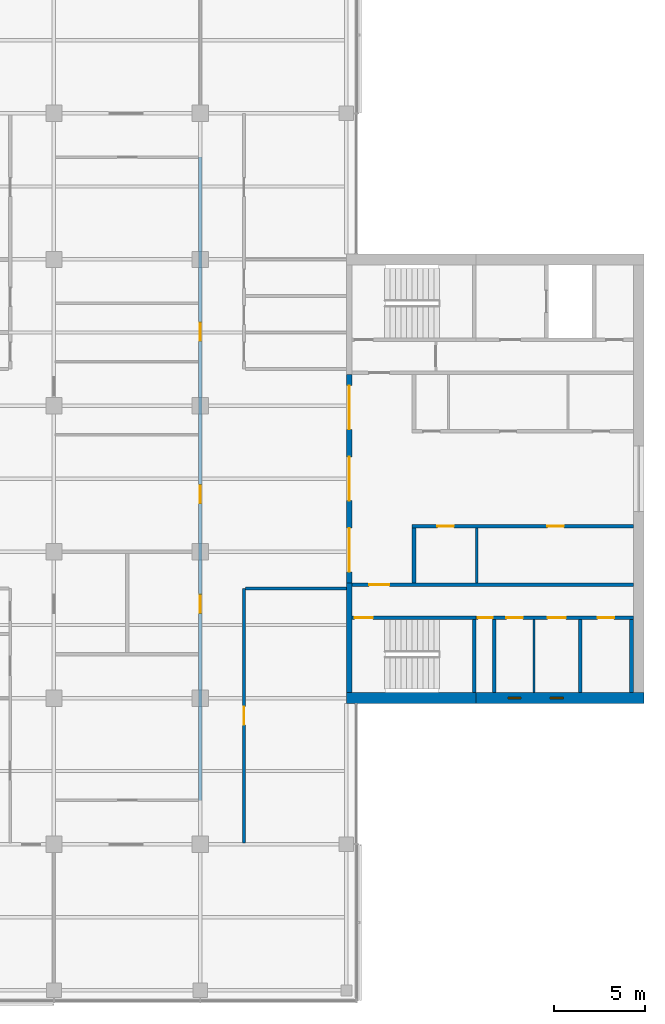
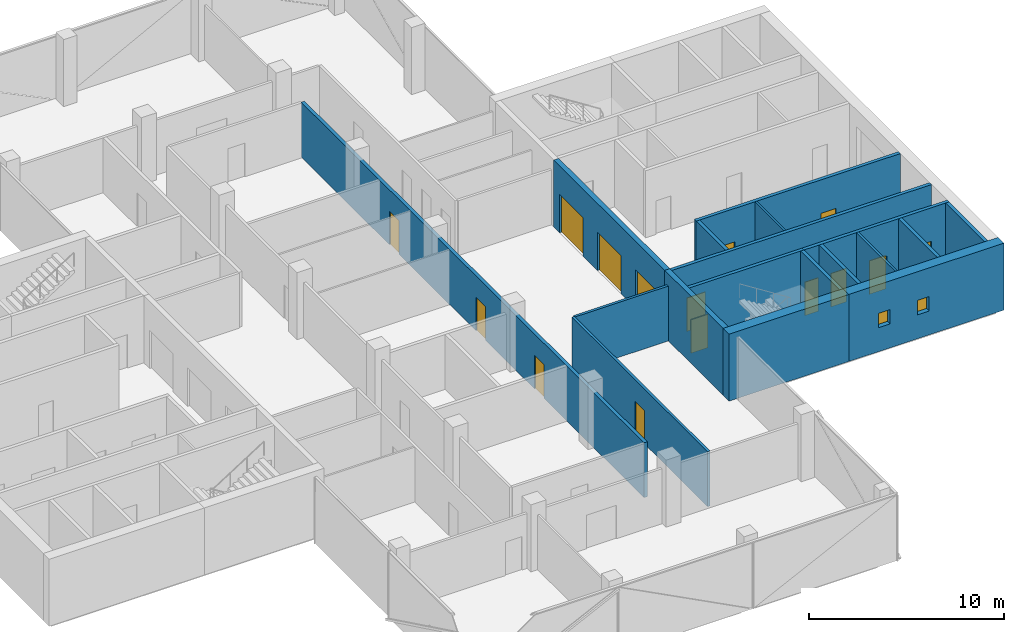
# One storey, part 10 of 15: 18 walls, 15 doors, 2 windows, 17 openings.
"""IFC4 building model written with IfcOpenShell, lengths in metres."""

from ifc_helpers import new_model, si_unit, direction, frame, frame_2d, origin, place, context, subcontext, project, spatial, rectangle, extrude, material, layer, layer_set, constituent, constituent_set, type_object, element, fill, save


model = new_model("IFC4")

# Units and contexts
model_context = context("Model", 3, precision=1e-05, world=origin(), true_north=direction((0.0, 1.0)))
body_context = subcontext(model_context, "Body", "Model", "MODEL_VIEW")
ifc_project = project(units=[si_unit("LENGTHUNIT", "METRE"), si_unit("AREAUNIT", "SQUARE_METRE"), si_unit("VOLUMEUNIT", "CUBIC_METRE"), si_unit("PLANEANGLEUNIT", "RADIAN"), si_unit("MASSUNIT", "GRAM", prefix="KILO")], contexts=[model_context])

# Site, building, storey
site_placement = place(None, origin())
site = spatial("IfcSite", under=ifc_project, at=site_placement, CompositionType="ELEMENT")
building_placement = place(site_placement, origin())
building = spatial("IfcBuilding", under=site, at=building_placement, Name="Crosswind Convention Tower", CompositionType="ELEMENT")
storey_placement = place(building_placement, frame((0.0, 0.0, 225.10009765625)))
storey = spatial("IfcBuildingStorey", under=building, at=storey_placement, Name="L48", CompositionType="ELEMENT", Elevation=225.10009765625)

# Wall
ifc_material_1 = material(Name="Concrete blockwork", Category="masonry")
ifc_layer_1 = layer(ifc_material_1, 0.199951171875)
ifc_layer_set_1 = layer_set([ifc_layer_1], Name="Blockwork partition wall 200")
wall_type_1 = type_object("IfcWallType", Name="Blockwork partition wall 200", PredefinedType="PARTITIONING", material=ifc_layer_set_1)
wall_1_placement = place(storey_placement, frame((145.10009765625, 88.300048828125, 0.0), z_axis=(0.0, 0.0, 1.0), x_axis=(0.0, 1.0, 0.0)))
element("IfcWall", 1, at=wall_1_placement, inside=storey, type_object=wall_type_1, Name="Wall MRSE E L48", PredefinedType="PARTITIONING", context=body_context, shape_type="SweptSolid", body=[
    extrude(rectangle(XDim=4.0, YDim=0.199951171875, at=frame_2d((2.0, 0.0))), origin(), (0.0, 0.0, 1.0), 4.199951171875),
])

# Wall, openings, doors
ifc_layer_2 = layer(ifc_material_1, 0.199951171875)
ifc_layer_set_2 = layer_set([ifc_layer_2], Name="COMPARTMENT WALL 200 BLOCKWORK")
wall_type_2 = type_object("IfcWallType", Name="COMPARTMENT WALL 200 BLOCKWORK", PredefinedType="SOLIDWALL", material=ifc_layer_set_2)
wall_2_placement = place(storey_placement, frame((129.0, 82.39990234375, 0.0), z_axis=(0.0, 0.0, 1.0), x_axis=(0.0, 1.0, 0.0)))
wall_2 = element("IfcWall", 2, at=wall_2_placement, inside=storey, type_object=wall_type_2, Name="Compartment wall WT42", PredefinedType="SOLIDWALL", context=body_context, shape_type="SweptSolid", body=[
    extrude(rectangle(XDim=35.2001953125, YDim=0.199951171875, at=frame_2d((17.60009765625, 0.0))), origin(), (0.0, 0.0, 1.0), 3.439697265625),
])
opening_1_placement = place(wall_2_placement, frame((10.25, 0.0, 0.0)))
opening_1 = element("IfcOpeningElement", 3, at=opening_1_placement, cuts=wall_2, Name="Opening L48-66", PredefinedType="OPENING", context=body_context, shape_type="SweptSolid", body=[
    extrude(rectangle(XDim=1.0, YDim=2.10009765625, at=frame_2d((0.5, 1.050048828125))), frame((0.0, 0.10986328125, 0.0), z_axis=(0.0, -1.0, 0.0), x_axis=(1.0, 0.0, 0.0)), (0.0, 0.0, 1.0), 0.219970703125),
])
opening_2_placement = place(wall_2_placement, frame((16.25, 0.0, 0.0)))
opening_2 = element("IfcOpeningElement", 4, at=opening_2_placement, cuts=wall_2, Name="Opening L48-67", PredefinedType="OPENING", context=body_context, shape_type="SweptSolid", body=[
    extrude(rectangle(XDim=1.0, YDim=2.10009765625, at=frame_2d((0.5, 1.050048828125))), frame((0.0, 0.10986328125, 0.0), z_axis=(0.0, -1.0, 0.0), x_axis=(1.0, 0.0, 0.0)), (0.0, 0.0, 1.0), 0.219970703125),
])
opening_3_placement = place(wall_2_placement, frame((25.14990234375, 0.0, 0.0)))
opening_3 = element("IfcOpeningElement", 5, at=opening_3_placement, cuts=wall_2, Name="Opening L48-69", PredefinedType="OPENING", context=body_context, shape_type="SweptSolid", body=[
    extrude(rectangle(XDim=1.0, YDim=2.10009765625, at=frame_2d((0.5, 1.050048828125))), frame((0.0, 0.10986328125, 0.0), z_axis=(0.0, -1.0, 0.0), x_axis=(1.0, 0.0, 0.0)), (0.0, 0.0, 1.0), 0.219970703125),
])
ifc_material_2 = material(Name="Steel fire door", Category="steel")
door_type_1 = type_object("IfcDoorType", Name="PLANT ROOM DOOR 1000X2100 FD60", OperationType="NOTDEFINED", PredefinedType="DOOR", material=ifc_material_2)
door_1_placement = place(opening_1_placement, origin())
door_1 = element("IfcDoor", 6, at=door_1_placement, inside=storey, type_object=door_type_1, Name="Door L48-66", ObjectType="D43", OperationType="SINGLE_SWING_RIGHT", OverallHeight=2.10009765625, OverallWidth=1.0, PredefinedType="DOOR", context=body_context, shape_type="SweptSolid", body=[
    extrude(rectangle(XDim=1.0, YDim=2.10009765625, at=frame_2d((0.5, 1.050048828125))), frame((0.0, 0.02490234375, 0.0), z_axis=(0.0, -1.0, 0.0), x_axis=(1.0, 0.0, 0.0)), (0.0, 0.0, 1.0), 0.050048828125),
])
fill(opening_1, door_1)
ifc_material_3 = material(Name="Timber fire door", Category="wood")
door_type_2 = type_object("IfcDoorType", Name="TENANCY ENTRANCE DOOR 1000X2100 FD30S", OperationType="NOTDEFINED", PredefinedType="DOOR", material=ifc_material_3)
door_2_placement = place(opening_2_placement, origin())
door_2 = element("IfcDoor", 7, at=door_2_placement, inside=storey, type_object=door_type_2, Name="Door L48-67", ObjectType="D41", OperationType="SINGLE_SWING_LEFT", OverallHeight=2.10009765625, OverallWidth=1.0, PredefinedType="DOOR", context=body_context, shape_type="SweptSolid", body=[
    extrude(rectangle(XDim=1.0, YDim=2.10009765625, at=frame_2d((0.5, 1.050048828125))), frame((0.0, 0.02490234375, 0.0), z_axis=(0.0, -1.0, 0.0), x_axis=(1.0, 0.0, 0.0)), (0.0, 0.0, 1.0), 0.050048828125),
])
fill(opening_2, door_2)
door_3_placement = place(opening_3_placement, origin())
door_3 = element("IfcDoor", 8, at=door_3_placement, inside=storey, type_object=door_type_2, Name="Door L48-69", ObjectType="D41", OperationType="SINGLE_SWING_RIGHT", OverallHeight=2.10009765625, OverallWidth=1.0, PredefinedType="DOOR", context=body_context, shape_type="SweptSolid", body=[
    extrude(rectangle(XDim=1.0, YDim=2.10009765625, at=frame_2d((0.5, 1.050048828125))), frame((0.0, 0.02490234375, 0.0), z_axis=(0.0, -1.0, 0.0), x_axis=(1.0, 0.0, 0.0)), (0.0, 0.0, 1.0), 0.050048828125),
])
fill(opening_3, door_3)

ifc_material_4 = material(Name="Concrete C50/60", Category="concrete")
ifc_layer_3 = layer(ifc_material_4, 0.300048828125)
ifc_layer_set_3 = layer_set([ifc_layer_3], Name="Concrete C50/60")
wall_type_3 = type_object("IfcWallType", Name="Concrete inner core wall 300", PredefinedType="SHEAR", material=ifc_layer_set_3)
wall_3_placement = place(storey_placement, frame((137.14990234375, 94.300048828125, 0.0), z_axis=(0.0, 0.0, 1.0), x_axis=(0.0, 1.0, 0.0)))
wall_3 = element("IfcWall", 9, at=wall_3_placement, inside=storey, type_object=wall_type_3, Name="Wall SCR E L48", PredefinedType="SHEAR", context=body_context, shape_type="SweptSolid", body=[
    extrude(rectangle(XDim=11.39990234375, YDim=0.300048828125, at=frame_2d((5.699951171875, 0.0))), origin(), (0.0, 0.0, 1.0), 4.199951171875),
])
opening_4_placement = place(wall_3_placement, frame((0.60009765625, 0.0, 0.0)))
opening_4 = element("IfcOpeningElement", 10, at=opening_4_placement, cuts=wall_3, Name="Opening D100", PredefinedType="OPENING", context=body_context, shape_type="SweptSolid", body=[
    extrude(rectangle(XDim=2.39990234375, YDim=2.39990234375, at=frame_2d((1.199951171875, 1.199951171875))), frame((0.0, 0.159912109375, 0.0), z_axis=(0.0, -1.0, 0.0), x_axis=(1.0, 0.0, 0.0)), (0.0, 0.0, 1.0), 0.320068359375),
])
opening_5_placement = place(wall_3_placement, frame((4.5, 0.0, 0.0)))
opening_5 = element("IfcOpeningElement", 11, at=opening_5_placement, cuts=wall_3, Name="Opening D100", PredefinedType="OPENING", context=body_context, shape_type="SweptSolid", body=[
    extrude(rectangle(XDim=2.39990234375, YDim=2.39990234375, at=frame_2d((1.199951171875, 1.199951171875))), frame((0.0, 0.159912109375, 0.0), z_axis=(0.0, -1.0, 0.0), x_axis=(1.0, 0.0, 0.0)), (0.0, 0.0, 1.0), 0.320068359375),
])
opening_6_placement = place(wall_3_placement, frame((8.39990234375, 0.0, 0.0)))
opening_6 = element("IfcOpeningElement", 12, at=opening_6_placement, cuts=wall_3, Name="Opening D100", PredefinedType="OPENING", context=body_context, shape_type="SweptSolid", body=[
    extrude(rectangle(XDim=2.39990234375, YDim=2.39990234375, at=frame_2d((1.199951171875, 1.199951171875))), frame((0.0, 0.159912109375, 0.0), z_axis=(0.0, -1.0, 0.0), x_axis=(1.0, 0.0, 0.0)), (0.0, 0.0, 1.0), 0.320068359375),
])
ifc_material_5 = material(Name="Steel fire door with glazed vision panels", Category="steel")
door_type_3 = type_object("IfcDoorType", Name="Fire-rated double door 2400x2400", OperationType="DOUBLE_DOOR_SINGLE_SWING", PredefinedType="DOOR", material=ifc_material_5)
door_4_placement = place(opening_4_placement, origin())
door_4 = element("IfcDoor", 13, at=door_4_placement, inside=storey, type_object=door_type_3, Name="Lobby door 1 L48", ObjectType="D100", OperationType="DOUBLE_DOOR_SINGLE_SWING", OverallHeight=2.39990234375, OverallWidth=2.39990234375, PredefinedType="DOOR", context=body_context, shape_type="SweptSolid", body=[
    extrude(rectangle(XDim=2.39990234375, YDim=2.39990234375, at=frame_2d((1.199951171875, 1.199951171875))), frame((0.0, 0.02490234375, 0.0), z_axis=(0.0, -1.0, 0.0), x_axis=(1.0, 0.0, 0.0)), (0.0, 0.0, 1.0), 0.050048828125),
])
fill(opening_4, door_4)
door_5_placement = place(opening_5_placement, origin())
door_5 = element("IfcDoor", 14, at=door_5_placement, inside=storey, type_object=door_type_3, Name="Lobby door 2 L48", ObjectType="D100", OperationType="DOUBLE_DOOR_SINGLE_SWING", OverallHeight=2.39990234375, OverallWidth=2.39990234375, PredefinedType="DOOR", context=body_context, shape_type="SweptSolid", body=[
    extrude(rectangle(XDim=2.39990234375, YDim=2.39990234375, at=frame_2d((1.199951171875, 1.199951171875))), frame((0.0, 0.02490234375, 0.0), z_axis=(0.0, -1.0, 0.0), x_axis=(1.0, 0.0, 0.0)), (0.0, 0.0, 1.0), 0.050048828125),
])
fill(opening_5, door_5)
door_6_placement = place(opening_6_placement, origin())
door_6 = element("IfcDoor", 15, at=door_6_placement, inside=storey, type_object=door_type_3, Name="Lobby door 3 L48", ObjectType="D100", OperationType="DOUBLE_DOOR_SINGLE_SWING", OverallHeight=2.39990234375, OverallWidth=2.39990234375, PredefinedType="DOOR", context=body_context, shape_type="SweptSolid", body=[
    extrude(rectangle(XDim=2.39990234375, YDim=2.39990234375, at=frame_2d((1.199951171875, 1.199951171875))), frame((0.0, 0.02490234375, 0.0), z_axis=(0.0, -1.0, 0.0), x_axis=(1.0, 0.0, 0.0)), (0.0, 0.0, 1.0), 0.050048828125),
])
fill(opening_6, door_6)

# Walls
wall_4_placement = place(storey_placement, frame((137.14990234375, 88.300048828125, 0.0), z_axis=(0.0, 0.0, 1.0), x_axis=(0.0, 1.0, 0.0)))
element("IfcWall", 16, at=wall_4_placement, inside=storey, type_object=wall_type_3, Name="Wall EM E L48", PredefinedType="SHEAR", context=body_context, shape_type="SweptSolid", body=[
    extrude(rectangle(XDim=6.0, YDim=0.300048828125, at=frame_2d((3.0, 0.0))), origin(), (0.0, 0.0, 1.0), 4.199951171875),
])
ifc_layer_4 = layer(ifc_material_4, 0.199951171875)
ifc_layer_set_4 = layer_set([ifc_layer_4], Name="Concrete C50/60")
wall_type_4 = type_object("IfcWallType", Name="Concrete shaft and stair wall 200", PredefinedType="SHEAR", material=ifc_layer_set_4)
wall_5_placement = place(storey_placement, frame((140.699951171875, 94.300048828125, 0.0), z_axis=(0.0, 0.0, 1.0), x_axis=(0.0, 1.0, 0.0)))
element("IfcWall", 17, at=wall_5_placement, inside=storey, type_object=wall_type_4, Name="Wall RMEND E L48", PredefinedType="SHEAR", context=body_context, shape_type="SweptSolid", body=[
    extrude(rectangle(XDim=3.0, YDim=0.199951171875, at=frame_2d((1.5, 0.0))), origin(), (0.0, 0.0, 1.0), 4.199951171875),
])

# Wall, openings, doors
wall_6_placement = place(storey_placement, frame((140.60009765625, 97.39990234375, 0.0), z_axis=(0.0, 0.0, 1.0), x_axis=(1.0, 0.0, 0.0)))
wall_6 = element("IfcWall", 18, at=wall_6_placement, inside=storey, type_object=wall_type_4, Name="Wall RMFRONT E L48", PredefinedType="SHEAR", context=body_context, shape_type="SweptSolid", body=[
    extrude(rectangle(XDim=12.099853515625, YDim=0.199951171875, at=frame_2d((6.0498046875, 0.0))), origin(), (0.0, 0.0, 1.0), 4.199951171875),
])
opening_7_placement = place(wall_6_placement, frame((1.384765625, 0.0, 0.0)))
opening_7 = element("IfcOpeningElement", 19, at=opening_7_placement, cuts=wall_6, Name="Opening D106", PredefinedType="OPENING", context=body_context, shape_type="SweptSolid", body=[
    extrude(rectangle(XDim=0.89990234375, YDim=2.10009765625, at=frame_2d((0.449951171875, 1.050048828125))), frame((0.0, 0.10986328125, 0.0), z_axis=(0.0, -1.0, 0.0), x_axis=(1.0, 0.0, 0.0)), (0.0, 0.0, 1.0), 0.219970703125),
])
opening_8_placement = place(wall_6_placement, frame((7.397216796875, 0.0, 0.0)))
opening_8 = element("IfcOpeningElement", 20, at=opening_8_placement, cuts=wall_6, Name="Opening D106", PredefinedType="OPENING", context=body_context, shape_type="SweptSolid", body=[
    extrude(rectangle(XDim=0.89990234375, YDim=2.10009765625, at=frame_2d((0.449951171875, 1.050048828125))), frame((0.0, 0.10986328125, 0.0), z_axis=(0.0, -1.0, 0.0), x_axis=(1.0, 0.0, 0.0)), (0.0, 0.0, 1.0), 0.219970703125),
])
ifc_material_6 = material(Name="Timber door", Category="wood")
door_type_4 = type_object("IfcDoorType", Name="Single leaf door 900x2100", OperationType="NOTDEFINED", PredefinedType="DOOR", material=ifc_material_6)
door_7_placement = place(opening_7_placement, frame((0.89990234375, 0.0, 0.0), z_axis=(0.0, 0.0, 1.0), x_axis=(-1.0, 0.0, 0.0)))
door_7 = element("IfcDoor", 21, at=door_7_placement, inside=storey, type_object=door_type_4, Name="Door to copy and print room L48", ObjectType="D106", OperationType="SINGLE_SWING_LEFT", OverallHeight=2.10009765625, OverallWidth=0.89990234375, PredefinedType="DOOR", context=body_context, shape_type="SweptSolid", body=[
    extrude(rectangle(XDim=0.89990234375, YDim=2.10009765625, at=frame_2d((0.449951171875, 1.050048828125))), frame((0.0, 0.02490234375, 0.0), z_axis=(0.0, -1.0, 0.0), x_axis=(1.0, 0.0, 0.0)), (0.0, 0.0, 1.0), 0.050048828125),
])
fill(opening_7, door_7)
door_8_placement = place(opening_8_placement, frame((0.89990234375, 0.0, 0.0), z_axis=(0.0, 0.0, 1.0), x_axis=(-1.0, 0.0, 0.0)))
door_8 = element("IfcDoor", 22, at=door_8_placement, inside=storey, type_object=door_type_4, Name="Door to meeting room L48", ObjectType="D106", OperationType="SINGLE_SWING_LEFT", OverallHeight=2.10009765625, OverallWidth=0.89990234375, PredefinedType="DOOR", context=body_context, shape_type="SweptSolid", body=[
    extrude(rectangle(XDim=0.89990234375, YDim=2.10009765625, at=frame_2d((0.449951171875, 1.050048828125))), frame((0.0, 0.02490234375, 0.0), z_axis=(0.0, -1.0, 0.0), x_axis=(1.0, 0.0, 0.0)), (0.0, 0.0, 1.0), 0.050048828125),
])
fill(opening_8, door_8)

# Wall, opening, door
wall_7_placement = place(storey_placement, frame((137.300048828125, 94.199951171875, 0.0), z_axis=(0.0, 0.0, 1.0), x_axis=(1.0, 0.0, 0.0)))
wall_7 = element("IfcWall", 23, at=wall_7_placement, inside=storey, type_object=wall_type_4, Name="Wall HM E L48", PredefinedType="SHEAR", context=body_context, shape_type="SweptSolid", body=[
    extrude(rectangle(XDim=15.39990234375, YDim=0.199951171875, at=frame_2d((7.699951171875, 0.0))), origin(), (0.0, 0.0, 1.0), 4.199951171875),
])
opening_9_placement = place(wall_7_placement, frame((0.949951171875, 0.0, 0.0)))
opening_9 = element("IfcOpeningElement", 24, at=opening_9_placement, cuts=wall_7, Name="Opening D104", PredefinedType="OPENING", context=body_context, shape_type="SweptSolid", body=[
    extrude(rectangle(XDim=1.10009765625, YDim=2.10009765625, at=frame_2d((0.550048828125, 1.050048828125))), frame((0.0, 0.10986328125, 0.0), z_axis=(0.0, -1.0, 0.0), x_axis=(1.0, 0.0, 0.0)), (0.0, 0.0, 1.0), 0.219970703125),
])
door_type_5 = type_object("IfcDoorType", Name="Fire-rated single door 1100x2100", OperationType="NOTDEFINED", PredefinedType="DOOR", material=ifc_material_2)
door_9_placement = place(opening_9_placement, origin())
door_9 = element("IfcDoor", 25, at=door_9_placement, inside=storey, type_object=door_type_5, Name="Corridor door L48", ObjectType="D104", OperationType="SINGLE_SWING_LEFT", OverallHeight=2.10009765625, OverallWidth=1.10009765625, PredefinedType="DOOR", context=body_context, shape_type="SweptSolid", body=[
    extrude(rectangle(XDim=1.10009765625, YDim=2.10009765625, at=frame_2d((0.550048828125, 1.050048828125))), frame((0.0, 0.02490234375, 0.0), z_axis=(0.0, -1.0, 0.0), x_axis=(1.0, 0.0, 0.0)), (0.0, 0.0, 1.0), 0.050048828125),
])
fill(opening_9, door_9)

# Walls
for number, where, z_axis, x_axis, name in (
    (26, (144.0, 88.300048828125, 0.0), (0.0, 0.0, 1.0), (0.0, 1.0, 0.0), "Wall MSE E L48"),
    (27, (149.800048828125, 88.300048828125, 0.0), (0.0, 0.0, 1.0), (0.0, 1.0, 0.0), "Wall MFSW E L48"),
    (28, (152.60009765625, 88.300048828125, 0.0), (0.0, 0.0, 1.0), (0.0, 1.0, 0.0), "Wall MFSE E L48"),
):
    element("IfcWall", number, at=place(storey_placement, frame(where, z_axis=z_axis, x_axis=x_axis)), inside=storey, type_object=wall_type_4, Name=name, PredefinedType="SHEAR", context=body_context, shape_type="SweptSolid", body=[
        extrude(rectangle(XDim=4.0, YDim=0.199951171875, at=frame_2d((2.0, 0.0))), origin(), (0.0, 0.0, 1.0), 4.199951171875),
    ])

# Wall, opening, door
wall_8_placement = place(storey_placement, frame((137.300048828125, 92.39990234375, 0.0), z_axis=(0.0, 0.0, 1.0), x_axis=(1.0, 0.0, 0.0)))
wall_8 = element("IfcWall", 29, at=wall_8_placement, inside=storey, type_object=wall_type_4, Name="Wall MCW E L48", PredefinedType="SHEAR", context=body_context, shape_type="SweptSolid", body=[
    extrude(rectangle(XDim=6.800048828125, YDim=0.199951171875, at=frame_2d((3.39990234375, 0.0))), origin(), (0.0, 0.0, 1.0), 4.199951171875),
])
opening_10_placement = place(wall_8_placement, frame((0.14990234375, 0.0, 0.0)))
opening_10 = element("IfcOpeningElement", 30, at=opening_10_placement, cuts=wall_8, Name="Opening D103", PredefinedType="OPENING", context=body_context, shape_type="SweptSolid", body=[
    extrude(rectangle(XDim=1.0, YDim=2.10009765625, at=frame_2d((0.5, 1.050048828125))), frame((0.0, 0.10986328125, 0.0), z_axis=(0.0, -1.0, 0.0), x_axis=(1.0, 0.0, 0.0)), (0.0, 0.0, 1.0), 0.219970703125),
])
door_type_6 = type_object("IfcDoorType", Name="Fire-rated single door 1000x2100", OperationType="NOTDEFINED", PredefinedType="DOOR", material=ifc_material_2)
door_10_placement = place(opening_10_placement, frame((1.0, 0.0, 0.0), z_axis=(0.0, 0.0, 1.0), x_axis=(-1.0, 0.0, 0.0)))
door_10 = element("IfcDoor", 31, at=door_10_placement, inside=storey, type_object=door_type_6, Name="Stair ST2 door L48", ObjectType="D103", OperationType="SINGLE_SWING_RIGHT", OverallHeight=2.10009765625, OverallWidth=1.0, PredefinedType="DOOR", context=body_context, shape_type="SweptSolid", body=[
    extrude(rectangle(XDim=1.0, YDim=2.10009765625, at=frame_2d((0.5, 1.050048828125))), frame((0.0, 0.02490234375, 0.0), z_axis=(0.0, -1.0, 0.0), x_axis=(1.0, 0.0, 0.0)), (0.0, 0.0, 1.0), 0.050048828125),
])
fill(opening_10, door_10)

# Wall, openings, doors
wall_9_placement = place(storey_placement, frame((144.10009765625, 92.39990234375, 0.0), z_axis=(0.0, 0.0, 1.0), x_axis=(1.0, 0.0, 0.0)))
wall_9 = element("IfcWall", 32, at=wall_9_placement, inside=storey, type_object=wall_type_4, Name="Wall MCX E L48", PredefinedType="SHEAR", context=body_context, shape_type="SweptSolid", body=[
    extrude(rectangle(XDim=8.599853515625, YDim=0.199951171875, at=frame_2d((4.2998046875, 0.0))), origin(), (0.0, 0.0, 1.0), 4.199951171875),
])
opening_11_placement = place(wall_9_placement, frame((0.10009765625, 0.0, 0.0)))
opening_11 = element("IfcOpeningElement", 33, at=opening_11_placement, cuts=wall_9, Name="Opening D105", PredefinedType="OPENING", context=body_context, shape_type="SweptSolid", body=[
    extrude(rectangle(XDim=0.800048828125, YDim=2.10009765625, at=frame_2d((0.39990234375, 1.050048828125))), frame((0.0, 0.10986328125, 0.0), z_axis=(0.0, -1.0, 0.0), x_axis=(1.0, 0.0, 0.0)), (0.0, 0.0, 1.0), 0.219970703125),
])
opening_12_placement = place(wall_9_placement, frame((1.65380859375, 0.0, 0.0)))
opening_12 = element("IfcOpeningElement", 34, at=opening_12_placement, cuts=wall_9, Name="Opening D106", PredefinedType="OPENING", context=body_context, shape_type="SweptSolid", body=[
    extrude(rectangle(XDim=0.89990234375, YDim=2.10009765625, at=frame_2d((0.449951171875, 1.050048828125))), frame((0.0, 0.10986328125, 0.0), z_axis=(0.0, -1.0, 0.0), x_axis=(1.0, 0.0, 0.0)), (0.0, 0.0, 1.0), 0.219970703125),
])
opening_13_placement = place(wall_9_placement, frame((3.916259765625, 0.0, 0.0)))
opening_13 = element("IfcOpeningElement", 35, at=opening_13_placement, cuts=wall_9, Name="Opening D103", PredefinedType="OPENING", context=body_context, shape_type="SweptSolid", body=[
    extrude(rectangle(XDim=1.0, YDim=2.10009765625, at=frame_2d((0.5, 1.050048828125))), frame((0.0, 0.10986328125, 0.0), z_axis=(0.0, -1.0, 0.0), x_axis=(1.0, 0.0, 0.0)), (0.0, 0.0, 1.0), 0.219970703125),
])
opening_14_placement = place(wall_9_placement, frame((6.64990234375, 0.0, 0.0)))
opening_14 = element("IfcOpeningElement", 36, at=opening_14_placement, cuts=wall_9, Name="Opening D106", PredefinedType="OPENING", context=body_context, shape_type="SweptSolid", body=[
    extrude(rectangle(XDim=0.89990234375, YDim=2.10009765625, at=frame_2d((0.449951171875, 1.050048828125))), frame((0.0, 0.10986328125, 0.0), z_axis=(0.0, -1.0, 0.0), x_axis=(1.0, 0.0, 0.0)), (0.0, 0.0, 1.0), 0.219970703125),
])
door_11_placement = place(opening_13_placement, frame((1.0, 0.0, 0.0), z_axis=(0.0, 0.0, 1.0), x_axis=(-1.0, 0.0, 0.0)))
door_11 = element("IfcDoor", 37, at=door_11_placement, inside=storey, type_object=door_type_6, Name="Door to accessible wc L48", ObjectType="D103", OperationType="SINGLE_SWING_LEFT", OverallHeight=2.10009765625, OverallWidth=1.0, PredefinedType="DOOR", context=body_context, shape_type="SweptSolid", body=[
    extrude(rectangle(XDim=1.0, YDim=2.10009765625, at=frame_2d((0.5, 1.050048828125))), frame((0.0, 0.02490234375, 0.0), z_axis=(0.0, -1.0, 0.0), x_axis=(1.0, 0.0, 0.0)), (0.0, 0.0, 1.0), 0.050048828125),
])
fill(opening_13, door_11)
door_type_7 = type_object("IfcDoorType", Name="Riser access door 800x2100", OperationType="NOTDEFINED", PredefinedType="DOOR", material=ifc_material_2)
door_12_placement = place(opening_11_placement, frame((0.800048828125, 0.0, 0.0), z_axis=(0.0, 0.0, 1.0), x_axis=(-1.0, 0.0, 0.0)))
door_12 = element("IfcDoor", 38, at=door_12_placement, inside=storey, type_object=door_type_7, Name="Riser door L48", ObjectType="D105", OperationType="SINGLE_SWING_LEFT", OverallHeight=2.10009765625, OverallWidth=0.800048828125, PredefinedType="DOOR", context=body_context, shape_type="SweptSolid", body=[
    extrude(rectangle(XDim=0.800048828125, YDim=2.10009765625, at=frame_2d((0.39990234375, 1.050048828125))), frame((0.0, 0.02490234375, 0.0), z_axis=(0.0, -1.0, 0.0), x_axis=(1.0, 0.0, 0.0)), (0.0, 0.0, 1.0), 0.050048828125),
])
fill(opening_11, door_12)
door_13_placement = place(opening_12_placement, frame((0.89990234375, 0.0, 0.0), z_axis=(0.0, 0.0, 1.0), x_axis=(-1.0, 0.0, 0.0)))
door_13 = element("IfcDoor", 39, at=door_13_placement, inside=storey, type_object=door_type_4, Name="Door to wc L48", ObjectType="D106", OperationType="SINGLE_SWING_LEFT", OverallHeight=2.10009765625, OverallWidth=0.89990234375, PredefinedType="DOOR", context=body_context, shape_type="SweptSolid", body=[
    extrude(rectangle(XDim=0.89990234375, YDim=2.10009765625, at=frame_2d((0.449951171875, 1.050048828125))), frame((0.0, 0.02490234375, 0.0), z_axis=(0.0, -1.0, 0.0), x_axis=(1.0, 0.0, 0.0)), (0.0, 0.0, 1.0), 0.050048828125),
])
fill(opening_12, door_13)
door_14_placement = place(opening_14_placement, frame((0.89990234375, 0.0, 0.0), z_axis=(0.0, 0.0, 1.0), x_axis=(-1.0, 0.0, 0.0)))
door_14 = element("IfcDoor", 40, at=door_14_placement, inside=storey, type_object=door_type_4, Name="Door to accessible wc L48", ObjectType="D106", OperationType="SINGLE_SWING_LEFT", OverallHeight=2.10009765625, OverallWidth=0.89990234375, PredefinedType="DOOR", context=body_context, shape_type="SweptSolid", body=[
    extrude(rectangle(XDim=0.89990234375, YDim=2.10009765625, at=frame_2d((0.449951171875, 1.050048828125))), frame((0.0, 0.02490234375, 0.0), z_axis=(0.0, -1.0, 0.0), x_axis=(1.0, 0.0, 0.0)), (0.0, 0.0, 1.0), 0.050048828125),
])
fill(opening_14, door_14)

# Walls
ifc_material_7 = material(Name="Gypsum plasterboard partition", Category="gypsum")
ifc_layer_5 = layer(ifc_material_7, 0.125)
ifc_layer_set_5 = layer_set([ifc_layer_5], Name="Drywall partition wall 125")
wall_type_5 = type_object("IfcWallType", Name="Drywall partition wall 125", PredefinedType="PARTITIONING", material=ifc_layer_set_5)
wall_10_placement = place(storey_placement, frame((144.132080078125, 94.300048828125, 0.0), z_axis=(0.0, 0.0, 1.0), x_axis=(0.0, 1.0, 0.0)))
element("IfcWall", 41, at=wall_10_placement, inside=storey, type_object=wall_type_5, Name="Wall RMP1 E L48", PredefinedType="PARTITIONING", context=body_context, shape_type="SweptSolid", body=[
    extrude(rectangle(XDim=3.0, YDim=0.125, at=frame_2d((1.5, 0.0))), origin(), (0.0, 0.0, 1.0), 4.199951171875),
])
wall_11_placement = place(storey_placement, frame((147.27001953125, 88.300048828125, 0.0), z_axis=(0.0, 0.0, 1.0), x_axis=(0.0, 1.0, 0.0)))
element("IfcWall", 42, at=wall_11_placement, inside=storey, type_object=wall_type_5, Name="Wall MWP1 E L48", PredefinedType="PARTITIONING", context=body_context, shape_type="SweptSolid", body=[
    extrude(rectangle(XDim=4.0, YDim=0.125, at=frame_2d((2.0, 0.0))), origin(), (0.0, 0.0, 1.0), 4.199951171875),
])

# Wall, opening, door
ifc_material_8 = material(Name="Fire-board partition with mineral wool", Category="gypsum")
ifc_layer_6 = layer(ifc_material_8, 0.14990234375)
ifc_layer_set_6 = layer_set([ifc_layer_6], Name="TENANCY WALL 150 TWO-HOUR BOARD")
wall_type_6 = type_object("IfcWallType", Name="TENANCY WALL 150 TWO-HOUR BOARD", PredefinedType="PARTITIONING", material=ifc_layer_set_6)
wall_12_placement = place(storey_placement, frame((131.39990234375, 80.074951171875, 0.0), z_axis=(0.0, 0.0, 1.0), x_axis=(0.0, 1.0, 0.0)))
wall_12 = element("IfcWall", 43, at=wall_12_placement, inside=storey, type_object=wall_type_6, Name="Tenancy wall WT41", PredefinedType="PARTITIONING", context=body_context, shape_type="SweptSolid", body=[
    extrude(rectangle(XDim=13.925048828125, YDim=0.14990234375, at=frame_2d((6.96240234375, 0.0))), origin(), (0.0, 0.0, 1.0), 3.439697265625),
])
opening_15_placement = place(wall_12_placement, frame((6.449951171875, 0.0, 0.0)))
opening_15 = element("IfcOpeningElement", 44, at=opening_15_placement, cuts=wall_12, Name="Opening L48-54", PredefinedType="OPENING", context=body_context, shape_type="SweptSolid", body=[
    extrude(rectangle(XDim=1.0, YDim=2.10009765625, at=frame_2d((0.5, 1.050048828125))), frame((0.0, 0.0849609375, 0.0), z_axis=(0.0, -1.0, 0.0), x_axis=(1.0, 0.0, 0.0)), (0.0, 0.0, 1.0), 0.169921875),
])
door_15_placement = place(opening_15_placement, frame((1.0, 0.0, 0.0), z_axis=(0.0, 0.0, 1.0), x_axis=(-1.0, 0.0, 0.0)))
door_15 = element("IfcDoor", 45, at=door_15_placement, inside=storey, type_object=door_type_2, Name="Door L48-54", ObjectType="D41", OperationType="SINGLE_SWING_LEFT", OverallHeight=2.10009765625, OverallWidth=1.0, PredefinedType="DOOR", context=body_context, shape_type="SweptSolid", body=[
    extrude(rectangle(XDim=1.0, YDim=2.10009765625, at=frame_2d((0.5, 1.050048828125))), frame((0.0, 0.02490234375, 0.0), z_axis=(0.0, -1.0, 0.0), x_axis=(1.0, 0.0, 0.0)), (0.0, 0.0, 1.0), 0.050048828125),
])
fill(opening_15, door_15)

# Walls
wall_13_placement = place(storey_placement, frame((131.47509765625, 94.0, 0.0), z_axis=(0.0, 0.0, 1.0), x_axis=(1.0, 0.0, 0.0)))
element("IfcWall", 46, at=wall_13_placement, inside=storey, type_object=wall_type_6, Name="Tenancy wall WT41", PredefinedType="PARTITIONING", context=body_context, shape_type="SweptSolid", body=[
    extrude(rectangle(XDim=5.52490234375, YDim=0.14990234375, at=frame_2d((2.762451171875, 0.0))), origin(), (0.0, 0.0, 1.0), 3.439697265625),
])
ifc_material_9 = material(Name="Concrete C60/75", Category="concrete")
ifc_constituent_1 = constituent(ifc_material_9, Name="Structure")
ifc_material_10 = material(Name="Terracotta rainscreen", Category="ceramic")
ifc_constituent_2 = constituent(ifc_material_10, Name="Facing")
ifc_constituent_set = constituent_set(constituents=[ifc_constituent_1, ifc_constituent_2], Name="Concrete C60/75, Terracotta rainscreen")
wall_type_7 = type_object("IfcWallType", Name="Terracotta rainscreen on concrete core wall 600", PredefinedType="SHEAR", material=ifc_constituent_set)
wall_14_placement = place(storey_placement, frame((137.0, 88.0, 0.0), z_axis=(0.0, 0.0, 1.0), x_axis=(1.0, 0.0, 0.0)))
element("IfcWall", 47, at=wall_14_placement, inside=storey, type_object=wall_type_7, Name="Wall S1 E L48", PredefinedType="SHEAR", context=body_context, shape_type="SweptSolid", body=[
    extrude(rectangle(XDim=7.10009765625, YDim=0.60009765625, at=frame_2d((3.550048828125, 0.0))), origin(), (0.0, 0.0, 1.0), 4.199951171875),
])

# Wall, openings, windows
wall_15_placement = place(storey_placement, frame((144.10009765625, 88.0, 0.0), z_axis=(0.0, 0.0, 1.0), x_axis=(1.0, 0.0, 0.0)))
wall_15 = element("IfcWall", 48, at=wall_15_placement, inside=storey, type_object=wall_type_7, Name="Wall S2 E L48", PredefinedType="SHEAR", context=body_context, shape_type="SweptSolid", body=[
    extrude(rectangle(XDim=9.199951171875, YDim=0.60009765625, at=frame_2d((4.60009765625, 0.0))), origin(), (0.0, 0.0, 1.0), 4.199951171875),
])
opening_16_placement = place(wall_15_placement, frame((1.753662109375, 0.0, 1.5)))
opening_16 = element("IfcOpeningElement", 49, at=opening_16_placement, cuts=wall_15, Name="Opening W2", PredefinedType="OPENING", context=body_context, shape_type="SweptSolid", body=[
    extrude(rectangle(XDim=0.699951171875, YDim=0.89990234375, at=frame_2d((0.35009765625, 0.449951171875))), frame((0.0, 0.31005859375, 0.0), z_axis=(0.0, -1.0, 0.0), x_axis=(1.0, 0.0, 0.0)), (0.0, 0.0, 1.0), 0.6201171875),
])
opening_17_placement = place(wall_15_placement, frame((4.066162109375, 0.0, 1.5)))
opening_17 = element("IfcOpeningElement", 50, at=opening_17_placement, cuts=wall_15, Name="Opening W2", PredefinedType="OPENING", context=body_context, shape_type="SweptSolid", body=[
    extrude(rectangle(XDim=0.699951171875, YDim=0.89990234375, at=frame_2d((0.35009765625, 0.449951171875))), frame((0.0, 0.31005859375, 0.0), z_axis=(0.0, -1.0, 0.0), x_axis=(1.0, 0.0, 0.0)), (0.0, 0.0, 1.0), 0.6201171875),
])
ifc_material_11 = material(Name="Obscure glass in aluminium frame", Category="aluminium")
window_type = type_object("IfcWindowType", Name="WC window 700x900", PartitioningType="SINGLE_PANEL", PredefinedType="WINDOW", material=ifc_material_11)
window_1_placement = place(opening_16_placement, origin())
window_1 = element("IfcWindow", 51, at=window_1_placement, inside=storey, type_object=window_type, Name="WC window L48", ObjectType="W2", OverallHeight=0.89990234375, OverallWidth=0.699951171875, PartitioningType="SINGLE_PANEL", PredefinedType="WINDOW", context=body_context, shape_type="SweptSolid", body=[
    extrude(rectangle(XDim=0.699951171875, YDim=0.89990234375, at=frame_2d((0.35009765625, 0.449951171875))), frame((0.0, 0.030029296875, 0.0), z_axis=(0.0, -1.0, 0.0), x_axis=(1.0, 0.0, 0.0)), (0.0, 0.0, 1.0), 0.06005859375),
])
fill(opening_16, window_1)
window_2_placement = place(opening_17_placement, origin())
window_2 = element("IfcWindow", 52, at=window_2_placement, inside=storey, type_object=window_type, Name="WC window L48", ObjectType="W2", OverallHeight=0.89990234375, OverallWidth=0.699951171875, PartitioningType="SINGLE_PANEL", PredefinedType="WINDOW", context=body_context, shape_type="SweptSolid", body=[
    extrude(rectangle(XDim=0.699951171875, YDim=0.89990234375, at=frame_2d((0.35009765625, 0.449951171875))), frame((0.0, 0.030029296875, 0.0), z_axis=(0.0, -1.0, 0.0), x_axis=(1.0, 0.0, 0.0)), (0.0, 0.0, 1.0), 0.06005859375),
])
fill(opening_17, window_2)

save(model, "model.ifc")
